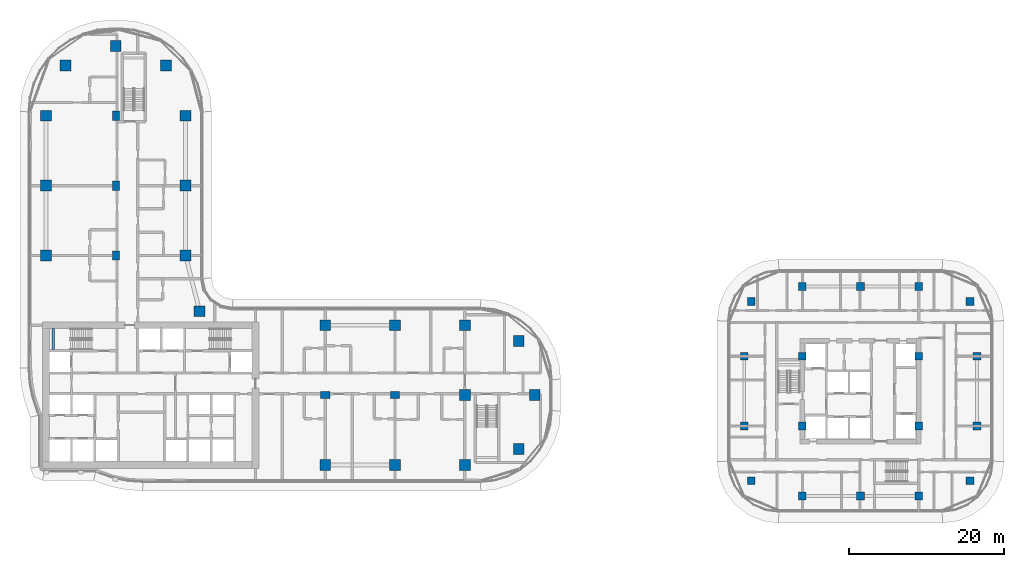
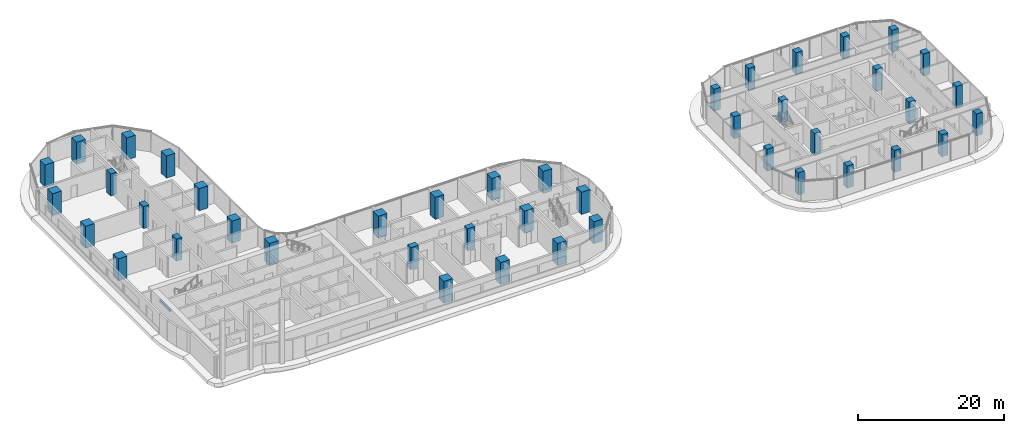
# One storey, part 1 of 36: 43 columns, 1 beam.
"""IFC4 building model written with IfcOpenShell, lengths in metres."""

from ifc_helpers import new_model, si_unit, direction, frame, origin, origin_2d, place, context, subcontext, project, spatial, rectangle, extrude, material, material_profile, profile_set, type_object, element, save


model = new_model("IFC4")

# Units and contexts
model_context = context("Model", 3, precision=1e-05, world=origin(), true_north=direction((0.0, 1.0)))
body_context = subcontext(model_context, "Body", "Model", "MODEL_VIEW")
ifc_project = project(units=[si_unit("LENGTHUNIT", "METRE"), si_unit("AREAUNIT", "SQUARE_METRE"), si_unit("VOLUMEUNIT", "CUBIC_METRE"), si_unit("PLANEANGLEUNIT", "RADIAN"), si_unit("MASSUNIT", "GRAM", prefix="KILO")], contexts=[model_context])

# Site, building, storey
site_placement = place(None, origin())
site = spatial("IfcSite", under=ifc_project, at=site_placement, CompositionType="ELEMENT")
building_placement = place(site_placement, origin())
building = spatial("IfcBuilding", under=site, at=building_placement, Name="Ogive Portal Towers", CompositionType="ELEMENT")
storey_placement = place(building_placement, frame((0.0, 0.0, 52.0)))
storey = spatial("IfcBuildingStorey", under=building, at=storey_placement, Name="L11", CompositionType="ELEMENT", Elevation=52.0)

# Columns
ifc_material_1 = material(Name="Concrete C60/75", Category="concrete")
ifc_material_profile_1 = material_profile(ifc_material_1, rectangle(XDim=1.0, YDim=1.0, at=origin_2d()), Name="RC 1000x1000")
ifc_profile_set_1 = profile_set([ifc_material_profile_1], Name="Concrete C60/75")
column_type_1 = type_object("IfcColumnType", Name="COLUMN RC 1000x1000", PredefinedType="COLUMN", material=ifc_profile_set_1)
for number, where, z_axis, x_axis, name in (
    (1, (129.0, 17.5, 0.0), (0.0, 0.0, 1.0), (1.0, 0.0, 0.0), "Column 12/H L11"),
    (2, (136.5, 17.5, 0.0), (0.0, 0.0, 1.0), (1.0, 0.0, 0.0), "Column 13/H L11"),
    (3, (144.0, 17.5, 0.0), (0.0, 0.0, 1.0), (1.0, 0.0, 0.0), "Column 14/H L11"),
    (4, (122.40087890625, 19.44189453125, 0.0), (0.0, 0.0, 1.0), (1.0, 0.0, 0.0), "Column L11"),
    (5, (150.59912109375, 19.44189453125, 0.0), (0.0, 0.0, 1.0), (1.0, 0.0, 0.0), "Column L11"),
    (6, (121.5, 26.5, 0.0), (0.0, 0.0, 1.0), (1.0, 0.0, 0.0), "Column 11/J L11"),
    (7, (129.0, 26.5, 0.0), (0.0, 0.0, 1.0), (1.0, 0.0, 0.0), "Column 12/J L11"),
    (8, (144.0, 26.5, 0.0), (0.0, 0.0, 1.0), (1.0, 0.0, 0.0), "Column 14/J L11"),
    (9, (151.5, 26.5, 0.0), (0.0, 0.0, 1.0), (1.0, 0.0, 0.0), "Column 15/J L11"),
    (10, (121.5, 35.5, 0.0), (0.0, 0.0, 1.0), (1.0, 0.0, 0.0), "Column 11/K L11"),
    (11, (129.0, 35.5, 0.0), (0.0, 0.0, 1.0), (1.0, 0.0, 0.0), "Column 12/K L11"),
    (12, (144.0, 35.5, 0.0), (0.0, 0.0, 1.0), (1.0, 0.0, 0.0), "Column 14/K L11"),
    (13, (151.5, 35.5, 0.0), (0.0, 0.0, 1.0), (1.0, 0.0, 0.0), "Column 15/K L11"),
    (14, (122.40087890625, 42.55810546875, 0.0), (0.0, 0.0, 1.0), (1.0, 0.0, 0.0), "Column L11"),
    (15, (150.59912109375, 42.55810546875, 0.0), (0.0, 0.0, 1.0), (1.0, 0.0, 0.0), "Column L11"),
    (16, (129.0, 44.5, 0.0), (0.0, 0.0, 1.0), (1.0, 0.0, 0.0), "Column 12/L L11"),
    (17, (136.5, 44.5, 0.0), (0.0, 0.0, 1.0), (1.0, 0.0, 0.0), "Column 13/L L11"),
    (18, (144.0, 44.5, 0.0), (0.0, 0.0, 1.0), (1.0, 0.0, 0.0), "Column 14/L L11"),
):
    element("IfcColumn", number, at=place(storey_placement, frame(where, z_axis=z_axis, x_axis=x_axis)), inside=storey, type_object=column_type_1, Name=name, PredefinedType="COLUMN", context=body_context, shape_type="SweptSolid", body=[
        extrude(rectangle(XDim=1.0, YDim=1.0, at=origin_2d()), origin(), (0.0, 0.0, 1.0), 3.699951171875),
    ])
ifc_material_profile_2 = material_profile(ifc_material_1, rectangle(XDim=1.199951171875, YDim=0.89990234375, at=origin_2d()), Name="RC 1200x900")
ifc_profile_set_2 = profile_set([ifc_material_profile_2], Name="Concrete C60/75")
column_type_2 = type_object("IfcColumnType", Name="COLUMN RC 1200x900", PredefinedType="COLUMN", material=ifc_profile_set_2)
for number, where, z_axis, x_axis, name in (
    (19, (67.5, 30.5, 0.0), (0.0, 0.0, 1.0), (1.0, 0.0, 0.0), "Column 5/B L11"),
    (20, (76.5, 30.5, 0.0), (0.0, 0.0, 1.0), (1.0, 0.0, 0.0), "Column 6/B L11"),
    (21, (40.5, 48.5, 0.0), (0.0, 0.0, 1.0), (0.0, 1.0, 0.0), "Column 2/D L11"),
    (22, (40.5, 57.5, 0.0), (0.0, 0.0, 1.0), (0.0, 1.0, 0.0), "Column 2/E L11"),
    (23, (40.5, 66.5, 0.0), (0.0, 0.0, 1.0), (0.0, 1.0, 0.0), "Column 2/F L11"),
):
    element("IfcColumn", number, at=place(storey_placement, frame(where, z_axis=z_axis, x_axis=x_axis)), inside=storey, type_object=column_type_2, Name=name, PredefinedType="COLUMN", context=body_context, shape_type="SweptSolid", body=[
        extrude(rectangle(XDim=1.199951171875, YDim=0.89990234375, at=origin_2d()), origin(), (0.0, 0.0, 1.0), 3.699951171875),
    ])
ifc_material_profile_3 = material_profile(ifc_material_1, rectangle(XDim=1.39990234375, YDim=1.39990234375, at=origin_2d()), Name="RC 1400x1400")
ifc_profile_set_3 = profile_set([ifc_material_profile_3], Name="Concrete C60/75")
column_type_3 = type_object("IfcColumnType", Name="COLUMN RC 1400x1400", PredefinedType="COLUMN", material=ifc_profile_set_3)
for number, where, z_axis, x_axis, name in (
    (24, (67.5, 21.5, 0.0), (0.0, 0.0, 1.0), (1.0, 0.0, 0.0), "Column 5/A L11"),
    (25, (76.5, 21.5, 0.0), (0.0, 0.0, 1.0), (1.0, 0.0, 0.0), "Column 6/A L11"),
    (26, (85.5, 21.5, 0.0), (0.0, 0.0, 1.0), (1.0, 0.0, 0.0), "Column 7/A L11"),
    (27, (92.449951171875, 23.550048828125, 0.0), (0.0, 0.0, 1.0), (1.0, 0.0, 0.0), "Column L11"),
    (28, (85.5, 30.5, 0.0), (0.0, 0.0, 1.0), (1.0, 0.0, 0.0), "Column 7/B L11"),
    (29, (94.5, 30.5, 0.0), (0.0, 0.0, 1.0), (1.0, 0.0, 0.0), "Column 8/B L11"),
    (30, (92.449951171875, 37.449951171875, 0.0), (0.0, 0.0, 1.0), (1.0, 0.0, 0.0), "Column L11"),
    (31, (67.5, 39.5, 0.0), (0.0, 0.0, 1.0), (1.0, 0.0, 0.0), "Column 5/C L11"),
    (32, (76.5, 39.5, 0.0), (0.0, 0.0, 1.0), (1.0, 0.0, 0.0), "Column 6/C L11"),
    (33, (85.5, 39.5, 0.0), (0.0, 0.0, 1.0), (1.0, 0.0, 0.0), "Column 7/C L11"),
    (34, (51.31005859375, 41.31005859375, 0.0), (0.0, 0.0, 1.0), (1.0, 0.0, 0.0), "Column L11"),
    (35, (31.5, 48.5, 0.0), (0.0, 0.0, 1.0), (1.0, 0.0, 0.0), "Column 1/D L11"),
    (36, (49.5, 48.5, 0.0), (0.0, 0.0, 1.0), (1.0, 0.0, 0.0), "Column 3/D L11"),
    (37, (31.5, 57.5, 0.0), (0.0, 0.0, 1.0), (1.0, 0.0, 0.0), "Column 1/E L11"),
    (38, (49.5, 57.5, 0.0), (0.0, 0.0, 1.0), (1.0, 0.0, 0.0), "Column 3/E L11"),
    (39, (31.5, 66.5, 0.0), (0.0, 0.0, 1.0), (1.0, 0.0, 0.0), "Column 1/F L11"),
    (40, (49.5, 66.5, 0.0), (0.0, 0.0, 1.0), (1.0, 0.0, 0.0), "Column 3/F L11"),
    (41, (34.027099609375, 72.972900390625, 0.0), (0.0, 0.0, 1.0), (1.0, 0.0, 0.0), "Column L11"),
    (42, (46.972900390625, 72.972900390625, 0.0), (0.0, 0.0, 1.0), (1.0, 0.0, 0.0), "Column L11"),
    (43, (40.5, 75.5, 0.0), (0.0, 0.0, 1.0), (1.0, 0.0, 0.0), "Column 2/G L11"),
):
    element("IfcColumn", number, at=place(storey_placement, frame(where, z_axis=z_axis, x_axis=x_axis)), inside=storey, type_object=column_type_3, Name=name, PredefinedType="COLUMN", context=body_context, shape_type="SweptSolid", body=[
        extrude(rectangle(XDim=1.39990234375, YDim=1.39990234375, at=origin_2d()), origin(), (0.0, 0.0, 1.0), 3.699951171875),
    ])

# Beam
ifc_material_2 = material(Name="Concrete C40/50", Category="concrete")
ifc_material_profile_4 = material_profile(ifc_material_2, rectangle(XDim=0.300048828125, YDim=0.39990234375, at=origin_2d()), Name="RC 300x400")
ifc_profile_set_4 = profile_set([ifc_material_profile_4], Name="Concrete C40/50")
beam_type = type_object("IfcBeamType", Name="BEAM RC 300x400", PredefinedType="BEAM", material=ifc_profile_set_4)
beam_placement = place(storey_placement, frame((32.449951171875, 36.35009765625, 1.449951171875), z_axis=(0.0, 1.0, 0.0), x_axis=(-1.0, 0.0, 0.0)))
element("IfcBeam", 44, at=beam_placement, inside=storey, type_object=beam_type, Name="Landing beam L11", PredefinedType="BEAM", context=body_context, shape_type="SweptSolid", body=[
    extrude(rectangle(XDim=0.300048828125, YDim=0.39990234375, at=origin_2d()), origin(), (0.0, 0.0, 1.0), 2.699951171875),
])

save(model, "model.ifc")
